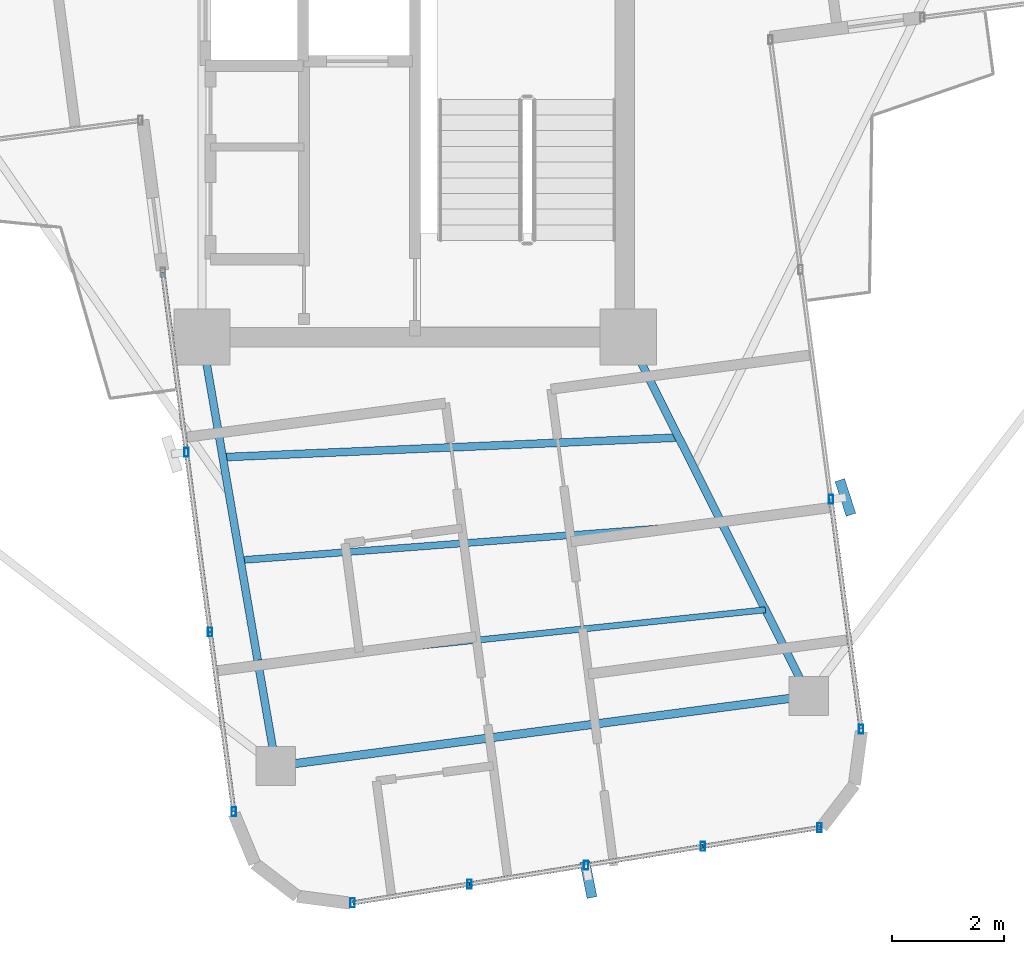
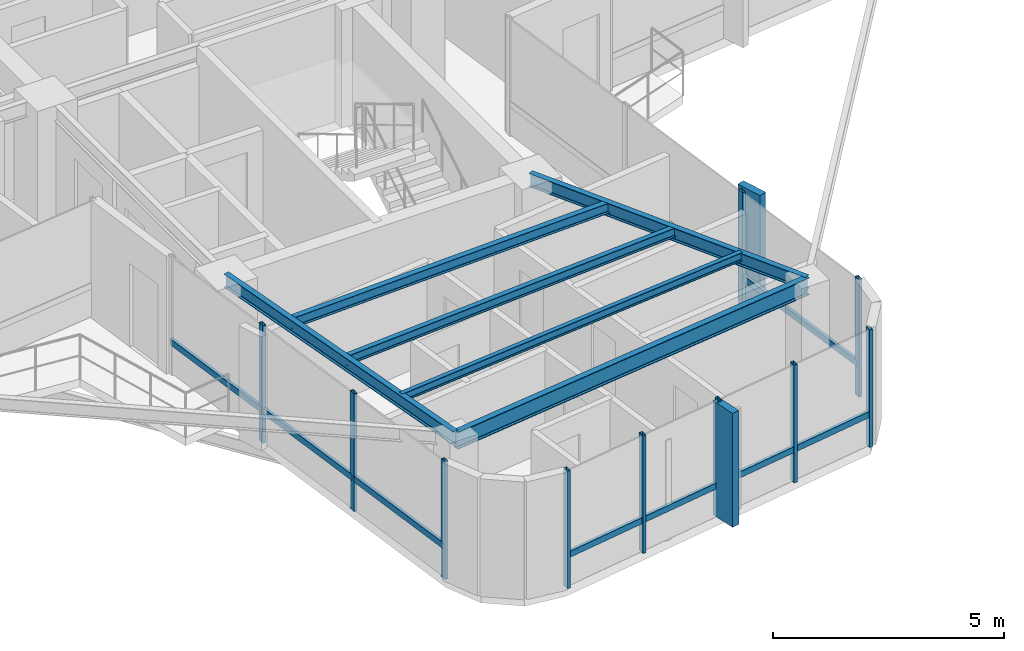
# One storey, part 4 of 22: 20 members, 6 beams, 3 elements without a shape of their own.
"""IFC4 building model written with IfcOpenShell, lengths in metres."""

from ifc_helpers import new_model, si_unit, direction, frame, origin, origin_2d, place, context, subcontext, project, spatial, rectangle, hollow_rectangle, i_section, extrude, source, transform, mapped, material, material_profile, profile_set, type_object, element, aggregate, save


model = new_model("IFC4")

# Units and contexts
model_context = context("Model", 3, precision=1e-05, world=origin(), true_north=direction((0.0, 1.0)))
body_context = subcontext(model_context, "Body", "Model", "MODEL_VIEW")
ifc_project = project(units=[si_unit("LENGTHUNIT", "METRE"), si_unit("AREAUNIT", "SQUARE_METRE"), si_unit("VOLUMEUNIT", "CUBIC_METRE"), si_unit("PLANEANGLEUNIT", "RADIAN"), si_unit("MASSUNIT", "GRAM", prefix="KILO")], contexts=[model_context])

# Site, building, storey
site_placement = place(None, origin())
site = spatial("IfcSite", under=ifc_project, at=site_placement, CompositionType="ELEMENT")
building_placement = place(site_placement, origin())
building = spatial("IfcBuilding", under=site, at=building_placement, Name="Sahyath Konkavel Grand Hotel", CompositionType="ELEMENT")
storey_placement = place(building_placement, frame((0.0, 0.0, 223.25)))
storey = spatial("IfcBuildingStorey", under=building, at=storey_placement, Name="L62", CompositionType="ELEMENT", Elevation=223.25)

# Beams
ifc_material_1 = material(Name="Steel E350", Category="steel")
ifc_material_profile_1 = material_profile(ifc_material_1, i_section(OverallWidth=0.139892578125, OverallDepth=0.35009765625, WebThickness=0.008056640625, FlangeThickness=0.01416015625, FilletRadius=0.013916015625, at=origin_2d()), Name="ISMB 350")
ifc_profile_set_1 = profile_set([ifc_material_profile_1], Name="Steel E350")
beam_type_1 = type_object("IfcBeamType", Name="BM-ISMB350", PredefinedType="BEAM", material=ifc_profile_set_1)
shared_shape_1 = source(origin(), body_context, "Body", "SweptSolid", [
    extrude(i_section(OverallWidth=0.139892578125, OverallDepth=0.35009765625, WebThickness=0.008056640625, FlangeThickness=0.01416015625, FilletRadius=0.013916015625, at=origin_2d()), origin(), (0.0, 0.0, 1.0), 7.762451171875),
])
beam_1_placement = place(storey_placement, frame((-3.800048828125, -10.199951171875, 2.93505859375), z_axis=(0.16961937621, -0.985509648463, 0.0), x_axis=(0.985509648463, 0.16961937621, 0.0)))
element("IfcBeam", 1, at=beam_1_placement, inside=storey, type_object=beam_type_1, Name="L62 Cruciform Radial Girder SA", PredefinedType="BEAM", context=body_context, shape_type="MappedRepresentation", body=[
    mapped(shared_shape_1, transform((0.0, 0.0, 0.0), scale=1.0)),
])
shared_shape_2 = source(origin(), body_context, "Body", "SweptSolid", [
    extrude(i_section(OverallWidth=0.139892578125, OverallDepth=0.35009765625, WebThickness=0.008056640625, FlangeThickness=0.01416015625, FilletRadius=0.013916015625, at=origin_2d()), origin(), (0.0, 0.0, 1.0), 7.162841796875),
])
beam_2_placement = place(storey_placement, frame((3.800048828125, -10.199951171875, 2.93505859375), z_axis=(0.44933921931, -0.893361218092, 0.0), x_axis=(0.893361218092, 0.44933921931, 0.0)))
element("IfcBeam", 2, at=beam_2_placement, inside=storey, type_object=beam_type_1, Name="L62 Cruciform Radial Girder SB", PredefinedType="BEAM", context=body_context, shape_type="MappedRepresentation", body=[
    mapped(shared_shape_2, transform((0.0, 0.0, 0.0), scale=1.0)),
])
ifc_material_profile_2 = material_profile(ifc_material_1, i_section(OverallWidth=0.14990234375, OverallDepth=0.449951171875, WebThickness=0.009521484375, FlangeThickness=0.017333984375, FilletRadius=0.014892578125, at=origin_2d()), Name="ISMB 450")
ifc_profile_set_2 = profile_set([ifc_material_profile_2], Name="Steel E350")
beam_type_2 = type_object("IfcBeamType", Name="BM-ISMB450", PredefinedType="BEAM", material=ifc_profile_set_2)
shared_shape_3 = source(origin(), body_context, "Body", "SweptSolid", [
    extrude(i_section(OverallWidth=0.14990234375, OverallDepth=0.449951171875, WebThickness=0.009521484375, FlangeThickness=0.017333984375, FilletRadius=0.014892578125, at=origin_2d()), origin(), (0.0, 0.0, 1.0), 9.583984375),
])
beam_3_placement = place(storey_placement, frame((-2.4833984375, -17.849853515625, 2.885009765625), z_axis=(0.991444581843, 0.130528315451, 0.0), x_axis=(-0.130528315451, 0.991444581843, 0.0)))
element("IfcBeam", 3, at=beam_3_placement, inside=storey, type_object=beam_type_2, Name="L62 Wing Tip Edge Beam S", PredefinedType="BEAM", context=body_context, shape_type="MappedRepresentation", body=[
    mapped(shared_shape_3, transform((0.0, 0.0, 0.0), scale=1.0)),
])
ifc_material_profile_3 = material_profile(ifc_material_1, i_section(OverallWidth=0.139892578125, OverallDepth=0.27490234375, WebThickness=0.00634765625, FlangeThickness=0.0087890625, FilletRadius=0.012939453125, at=origin_2d()), Name="ISLB 275")
ifc_profile_set_3 = profile_set([ifc_material_profile_3], Name="Steel E350")
beam_type_3 = type_object("IfcBeamType", Name="BM-ISLB275", PredefinedType="BEAM", material=ifc_profile_set_3)
shared_shape_4 = source(origin(), body_context, "Body", "SweptSolid", [
    extrude(i_section(OverallWidth=0.139892578125, OverallDepth=0.27490234375, WebThickness=0.00634765625, FlangeThickness=0.0087890625, FilletRadius=0.012939453125, at=origin_2d()), origin(), (0.0, 0.0, 1.0), 8.14013671875),
])
beam_4_placement = place(storey_placement, frame((-3.431396484375, -12.342041015625, 2.972412109375), z_axis=(0.999073395276, 0.04303894576, 0.0), x_axis=(-0.04303894576, 0.999073395276, 0.0)))
element("IfcBeam", 4, at=beam_4_placement, inside=storey, type_object=beam_type_3, Name="L62 Secondary Floor Beam S-1", PredefinedType="BEAM", context=body_context, shape_type="MappedRepresentation", body=[
    mapped(shared_shape_4, transform((0.0, 0.0, 0.0), scale=1.0)),
])
ifc_material_profile_4 = material_profile(ifc_material_1, i_section(OverallWidth=0.125, OverallDepth=0.25, WebThickness=0.0068359375, FlangeThickness=0.012451171875, FilletRadius=0.012939453125, at=origin_2d()), Name="ISMB 250")
ifc_profile_set_4 = profile_set([ifc_material_profile_4], Name="Steel E350")
beam_type_4 = type_object("IfcBeamType", Name="BM-ISMB250", PredefinedType="BEAM", material=ifc_profile_set_4)
shared_shape_5 = source(origin(), body_context, "Body", "SweptSolid", [
    extrude(i_section(OverallWidth=0.125, OverallDepth=0.25, WebThickness=0.0068359375, FlangeThickness=0.012451171875, FilletRadius=0.012939453125, at=origin_2d()), origin(), (0.0, 0.0, 1.0), 8.61376953125),
])
beam_5_placement = place(storey_placement, frame((-3.115478515625, -14.177978515625, 2.985107421875), z_axis=(0.997143173226, 0.075534707844, 0.0), x_axis=(-0.075534707844, 0.997143173226, 0.0)))
element("IfcBeam", 5, at=beam_5_placement, inside=storey, type_object=beam_type_4, Name="L62 Secondary Floor Beam S-2", PredefinedType="BEAM", context=body_context, shape_type="MappedRepresentation", body=[
    mapped(shared_shape_5, transform((0.0, 0.0, 0.0), scale=1.0)),
])
ifc_material_profile_5 = material_profile(ifc_material_1, i_section(OverallWidth=0.110107421875, OverallDepth=0.22509765625, WebThickness=0.006591796875, FlangeThickness=0.01171875, FilletRadius=0.011962890625, at=origin_2d()), Name="ISMB 225")
ifc_profile_set_5 = profile_set([ifc_material_profile_5], Name="Steel E350")
beam_type_5 = type_object("IfcBeamType", Name="BM-ISMB225", PredefinedType="BEAM", material=ifc_profile_set_5)
shared_shape_6 = source(origin(), body_context, "Body", "SweptSolid", [
    extrude(i_section(OverallWidth=0.110107421875, OverallDepth=0.22509765625, WebThickness=0.006591796875, FlangeThickness=0.01171875, FilletRadius=0.011962890625, at=origin_2d()), origin(), (0.0, 0.0, 1.0), 9.09521484375),
])
beam_6_placement = place(storey_placement, frame((-2.79931640625, -16.013916015625, 2.99755859375), z_axis=(0.994522207662, 0.104525491947, 0.0), x_axis=(-0.104525491947, 0.994522207662, 0.0)))
element("IfcBeam", 6, at=beam_6_placement, inside=storey, type_object=beam_type_5, Name="L62 Secondary Floor Beam S-3", PredefinedType="BEAM", context=body_context, shape_type="MappedRepresentation", body=[
    mapped(shared_shape_6, transform((0.0, 0.0, 0.0), scale=1.0)),
])

# Curtain wall, member
ifc_material_2 = material(Name="Anodised Bronze Aluminium & Low-E Glazing", Category="aluminium")
curtain_wall_type = type_object("IfcCurtainWallType", Name="CW-ZONE4", PredefinedType="NOTDEFINED", material=ifc_material_2)
curtain_wall_1_placement = place(storey_placement, origin())
curtain_wall_1 = element("IfcCurtainWall", 7, at=curtain_wall_1_placement, inside=storey, type_object=curtain_wall_type, Name="L62 Unitised Curtain Wall F28", PredefinedType="NOTDEFINED")
ifc_material_3 = material(Name="Warm Buff Sandstone Cladding on Concrete C50/60", Category="masonry")
ifc_material_profile_6 = material_profile(ifc_material_3, rectangle(XDim=0.179931640625, YDim=0.64990234375, at=origin_2d()), Name="FIN 180x650")
ifc_profile_set_6 = profile_set([ifc_material_profile_6], Name="Warm Buff Sandstone Cladding on Concrete C50/60")
member_type_1 = type_object("IfcMemberType", Name="FIN-SANDSTONE-650", PredefinedType="MULLION", material=ifc_profile_set_6)
shared_shape_7 = source(origin(), body_context, "Body", "SweptSolid", [
    extrude(rectangle(XDim=0.179931640625, YDim=0.64990234375, at=origin_2d()), origin(), (0.0, 0.0, 1.0), 3.010009765625),
])
member_1_placement = place(storey_placement, frame((3.0908203125, -19.87548828125, 0.050048828125), z_axis=(0.0, 0.0, 1.0), x_axis=(0.980785280403, 0.195090322016, 0.0)))
member_1 = element("IfcMember", 8, at=member_1_placement, type_object=member_type_1, Name="L62 Sandstone Vertical Solar Fin FIN F28-2", PredefinedType="MULLION", context=body_context, shape_type="MappedRepresentation", body=[
    mapped(shared_shape_7, transform((0.0, 0.0, 0.0), scale=1.0)),
])

curtain_wall_2_placement = place(storey_placement, origin())
curtain_wall_2 = element("IfcCurtainWall", 9, at=curtain_wall_2_placement, inside=storey, type_object=curtain_wall_type, Name="L62 Unitised Curtain Wall F31", PredefinedType="NOTDEFINED")
member_2_placement = place(storey_placement, frame((7.67236328125, -13.0595703125, 0.050048828125), z_axis=(0.0, 0.0, 1.0), x_axis=(0.951648033235, 0.307190528564, 0.0)))
member_2 = element("IfcMember", 10, at=member_2_placement, type_object=member_type_1, Name="L62 Sandstone Vertical Solar Fin FIN F31-1", PredefinedType="MULLION", context=body_context, shape_type="MappedRepresentation", body=[
    mapped(shared_shape_7, transform((0.0, 0.0, 0.0), scale=1.0)),
])

# Curtain wall, members
curtain_wall_3_placement = place(storey_placement, origin())
curtain_wall_3 = element("IfcCurtainWall", 11, at=curtain_wall_3_placement, inside=storey, type_object=curtain_wall_type, Name="L62 Unitised Curtain Wall F24", PredefinedType="NOTDEFINED")
ifc_material_4 = material(Name="Anodised Bronze Aluminium", Category="aluminium")
ifc_material_profile_7 = material_profile(ifc_material_4, hollow_rectangle(XDim=0.080078125, YDim=0.159912109375, WallThickness=0.006103515625, at=origin_2d()), Name="RHS 160x80x6")
ifc_profile_set_7 = profile_set([ifc_material_profile_7], Name="Anodised Bronze Aluminium")
member_type_2 = type_object("IfcMemberType", Name="CW-MUL-160", PredefinedType="MULLION", material=ifc_profile_set_7)
shared_shape_8 = source(origin(), body_context, "Body", "SweptSolid", [
    extrude(hollow_rectangle(XDim=0.080078125, YDim=0.159912109375, WallThickness=0.006103515625, at=origin_2d()), origin(), (0.0, 0.0, 1.0), 3.110107421875),
])
member_3_placement = place(storey_placement, frame((-4.07763671875, -12.252685546875, 0.0), z_axis=(0.0, 0.0, 1.0), x_axis=(1.0, 0.0, 0.0)))
member_3 = element("IfcMember", 12, at=member_3_placement, type_object=member_type_2, Name="L62 Curtain Wall Mullion F24-1", PredefinedType="MULLION", context=body_context, shape_type="MappedRepresentation", body=[
    mapped(shared_shape_8, transform((0.0, 0.0, 0.0), scale=1.0)),
])
member_4_placement = place(storey_placement, frame((-3.655517578125, -15.458740234375, 0.0), z_axis=(0.0, 0.0, 1.0), x_axis=(1.0, 0.0, 0.0)))
member_4 = element("IfcMember", 13, at=member_4_placement, type_object=member_type_2, Name="L62 Curtain Wall Mullion F24-2", PredefinedType="MULLION", context=body_context, shape_type="MappedRepresentation", body=[
    mapped(shared_shape_8, transform((0.0, 0.0, 0.0), scale=1.0)),
])
member_5_placement = place(storey_placement, frame((-3.2333984375, -18.664794921875, 0.0), z_axis=(0.0, 0.0, 1.0), x_axis=(1.0, 0.0, 0.0)))
member_5 = element("IfcMember", 14, at=member_5_placement, type_object=member_type_2, Name="L62 Curtain Wall Mullion F24-3", PredefinedType="MULLION", context=body_context, shape_type="MappedRepresentation", body=[
    mapped(shared_shape_8, transform((0.0, 0.0, 0.0), scale=1.0)),
])

# Member
member_6_placement = place(storey_placement, frame((-1.113037109375, -20.290771484375, 0.0), z_axis=(0.0, 0.0, 1.0), x_axis=(1.0, 0.0, 0.0)))
member_6 = element("IfcMember", 15, at=member_6_placement, type_object=member_type_2, Name="L62 Curtain Wall Mullion F28-0", PredefinedType="MULLION", context=body_context, shape_type="MappedRepresentation", body=[
    mapped(shared_shape_8, transform((0.0, 0.0, 0.0), scale=1.0)),
])

member_7_placement = place(storey_placement, frame((0.968017578125, -19.954833984375, 0.0), z_axis=(0.0, 0.0, 1.0), x_axis=(1.0, 0.0, 0.0)))
member_7 = element("IfcMember", 16, at=member_7_placement, type_object=member_type_2, Name="L62 Curtain Wall Mullion F28-1", PredefinedType="MULLION", context=body_context, shape_type="MappedRepresentation", body=[
    mapped(shared_shape_8, transform((0.0, 0.0, 0.0), scale=1.0)),
])

member_8_placement = place(storey_placement, frame((3.04931640625, -19.618896484375, 0.0), z_axis=(0.0, 0.0, 1.0), x_axis=(1.0, 0.0, 0.0)))
member_8 = element("IfcMember", 17, at=member_8_placement, type_object=member_type_2, Name="L62 Curtain Wall Mullion F28-2", PredefinedType="MULLION", context=body_context, shape_type="MappedRepresentation", body=[
    mapped(shared_shape_8, transform((0.0, 0.0, 0.0), scale=1.0)),
])

member_9_placement = place(storey_placement, frame((5.130615234375, -19.282958984375, 0.0), z_axis=(0.0, 0.0, 1.0), x_axis=(1.0, 0.0, 0.0)))
member_9 = element("IfcMember", 18, at=member_9_placement, type_object=member_type_2, Name="L62 Curtain Wall Mullion F28-3", PredefinedType="MULLION", context=body_context, shape_type="MappedRepresentation", body=[
    mapped(shared_shape_8, transform((0.0, 0.0, 0.0), scale=1.0)),
])

member_10_placement = place(storey_placement, frame((7.2119140625, -18.947021484375, 0.0), z_axis=(0.0, 0.0, 1.0), x_axis=(1.0, 0.0, 0.0)))
member_10 = element("IfcMember", 19, at=member_10_placement, type_object=member_type_2, Name="L62 Curtain Wall Mullion F28-4", PredefinedType="MULLION", context=body_context, shape_type="MappedRepresentation", body=[
    mapped(shared_shape_8, transform((0.0, 0.0, 0.0), scale=1.0)),
])

member_11_placement = place(storey_placement, frame((7.9541015625, -17.19189453125, 0.0), z_axis=(0.0, 0.0, 1.0), x_axis=(1.0, 0.0, 0.0)))
member_11 = element("IfcMember", 20, at=member_11_placement, type_object=member_type_2, Name="L62 Curtain Wall Mullion F31-0", PredefinedType="MULLION", context=body_context, shape_type="MappedRepresentation", body=[
    mapped(shared_shape_8, transform((0.0, 0.0, 0.0), scale=1.0)),
])

member_12_placement = place(storey_placement, frame((7.41455078125, -13.093505859375, 0.0), z_axis=(0.0, 0.0, 1.0), x_axis=(1.0, 0.0, 0.0)))
member_12 = element("IfcMember", 21, at=member_12_placement, type_object=member_type_2, Name="L62 Curtain Wall Mullion F31-1", PredefinedType="MULLION", context=body_context, shape_type="MappedRepresentation", body=[
    mapped(shared_shape_8, transform((0.0, 0.0, 0.0), scale=1.0)),
])

ifc_material_profile_8 = material_profile(ifc_material_4, hollow_rectangle(XDim=0.080078125, YDim=0.159912109375, WallThickness=0.006103515625, at=origin_2d()), Name="RHS 160x80x6")
ifc_profile_set_8 = profile_set([ifc_material_profile_8], Name="Anodised Bronze Aluminium")
member_type_3 = type_object("IfcMemberType", Name="CW-TRN-160", PredefinedType="USERDEFINED", material=ifc_profile_set_8)
shared_shape_9 = source(origin(), body_context, "Body", "SweptSolid", [
    extrude(hollow_rectangle(XDim=0.080078125, YDim=0.159912109375, WallThickness=0.006103515625, at=origin_2d()), origin(), (0.0, 0.0, 1.0), 3.2333984375),
])
member_13_placement = place(storey_placement, frame((-4.499755859375, -9.046875, 0.85009765625), z_axis=(0.130546309176, -0.991442212719, 0.0), x_axis=(0.991442212719, 0.130546309176, 0.0)))
member_13 = element("IfcMember", 22, at=member_13_placement, type_object=member_type_3, Name="L62 Curtain Wall Transom F24-0-spandrel", ObjectType="TRANSOM", PredefinedType="USERDEFINED", context=body_context, shape_type="MappedRepresentation", body=[
    mapped(shared_shape_9, transform((0.0, 0.0, 0.0), scale=1.0)),
])

shared_shape_10 = source(origin(), body_context, "Body", "SweptSolid", [
    extrude(hollow_rectangle(XDim=0.080078125, YDim=0.159912109375, WallThickness=0.006103515625, at=origin_2d()), origin(), (0.0, 0.0, 1.0), 3.233642578125),
])
member_14_placement = place(storey_placement, frame((-4.07763671875, -12.252685546875, 0.85009765625), z_axis=(0.130536537493, -0.991443499338, 0.0), x_axis=(0.991443499338, 0.130536537493, 0.0)))
member_14 = element("IfcMember", 23, at=member_14_placement, type_object=member_type_3, Name="L62 Curtain Wall Transom F24-1-spandrel", ObjectType="TRANSOM", PredefinedType="USERDEFINED", context=body_context, shape_type="MappedRepresentation", body=[
    mapped(shared_shape_10, transform((0.0, 0.0, 0.0), scale=1.0)),
])

member_15_placement = place(storey_placement, frame((-3.655517578125, -15.458740234375, 0.85009765625), z_axis=(0.130536537493, -0.991443499338, 0.0), x_axis=(0.991443499338, 0.130536537493, 0.0)))
member_15 = element("IfcMember", 24, at=member_15_placement, type_object=member_type_3, Name="L62 Curtain Wall Transom F24-2-spandrel", ObjectType="TRANSOM", PredefinedType="USERDEFINED", context=body_context, shape_type="MappedRepresentation", body=[
    mapped(shared_shape_10, transform((0.0, 0.0, 0.0), scale=1.0)),
])

aggregate(curtain_wall_3, [member_3, member_4, member_5, member_13, member_14, member_15])

shared_shape_11 = source(origin(), body_context, "Body", "SweptSolid", [
    extrude(hollow_rectangle(XDim=0.080078125, YDim=0.159912109375, WallThickness=0.006103515625, at=origin_2d()), origin(), (0.0, 0.0, 1.0), 2.10791015625),
])
member_16_placement = place(storey_placement, frame((-1.113037109375, -20.290771484375, 0.85009765625), z_axis=(0.987219969036, 0.159363523861, 0.0), x_axis=(-0.159363523861, 0.987219969036, 0.0)))
member_16 = element("IfcMember", 25, at=member_16_placement, type_object=member_type_3, Name="L62 Curtain Wall Transom F28-0-spandrel", ObjectType="TRANSOM", PredefinedType="USERDEFINED", context=body_context, shape_type="MappedRepresentation", body=[
    mapped(shared_shape_11, transform((0.0, 0.0, 0.0), scale=1.0)),
])

shared_shape_12 = source(origin(), body_context, "Body", "SweptSolid", [
    extrude(hollow_rectangle(XDim=0.080078125, YDim=0.159912109375, WallThickness=0.006103515625, at=origin_2d()), origin(), (0.0, 0.0, 1.0), 2.108154296875),
])
member_17_placement = place(storey_placement, frame((0.968017578125, -19.954833984375, 0.85009765625), z_axis=(0.987222909892, 0.159345304869, 0.0), x_axis=(-0.159345304869, 0.987222909892, 0.0)))
member_17 = element("IfcMember", 26, at=member_17_placement, type_object=member_type_3, Name="L62 Curtain Wall Transom F28-1-spandrel", ObjectType="TRANSOM", PredefinedType="USERDEFINED", context=body_context, shape_type="MappedRepresentation", body=[
    mapped(shared_shape_12, transform((0.0, 0.0, 0.0), scale=1.0)),
])

member_18_placement = place(storey_placement, frame((3.04931640625, -19.618896484375, 0.85009765625), z_axis=(0.987222909892, 0.159345304869, 0.0), x_axis=(-0.159345304869, 0.987222909892, 0.0)))
member_18 = element("IfcMember", 27, at=member_18_placement, type_object=member_type_3, Name="L62 Curtain Wall Transom F28-2-spandrel", ObjectType="TRANSOM", PredefinedType="USERDEFINED", context=body_context, shape_type="MappedRepresentation", body=[
    mapped(shared_shape_12, transform((0.0, 0.0, 0.0), scale=1.0)),
])

member_19_placement = place(storey_placement, frame((5.130615234375, -19.282958984375, 0.85009765625), z_axis=(0.987222909892, 0.159345304869, 0.0), x_axis=(-0.159345304869, 0.987222909892, 0.0)))
member_19 = element("IfcMember", 28, at=member_19_placement, type_object=member_type_3, Name="L62 Curtain Wall Transom F28-3-spandrel", ObjectType="TRANSOM", PredefinedType="USERDEFINED", context=body_context, shape_type="MappedRepresentation", body=[
    mapped(shared_shape_12, transform((0.0, 0.0, 0.0), scale=1.0)),
])

aggregate(curtain_wall_1, [member_6, member_7, member_8, member_1, member_9, member_10, member_16, member_17, member_18, member_19])

shared_shape_13 = source(origin(), body_context, "Body", "SweptSolid", [
    extrude(hollow_rectangle(XDim=0.080078125, YDim=0.159912109375, WallThickness=0.006103515625, at=origin_2d()), origin(), (0.0, 0.0, 1.0), 4.1337890625),
])
member_20_placement = place(storey_placement, frame((7.9541015625, -17.19189453125, 0.85009765625), z_axis=(-0.130523261824, 0.991445247163, 0.0), x_axis=(-0.991445247163, -0.130523261824, 0.0)))
member_20 = element("IfcMember", 29, at=member_20_placement, type_object=member_type_3, Name="L62 Curtain Wall Transom F31-0-spandrel", ObjectType="TRANSOM", PredefinedType="USERDEFINED", context=body_context, shape_type="MappedRepresentation", body=[
    mapped(shared_shape_13, transform((0.0, 0.0, 0.0), scale=1.0)),
])

aggregate(curtain_wall_2, [member_11, member_12, member_2, member_20])

save(model, "model.ifc")
